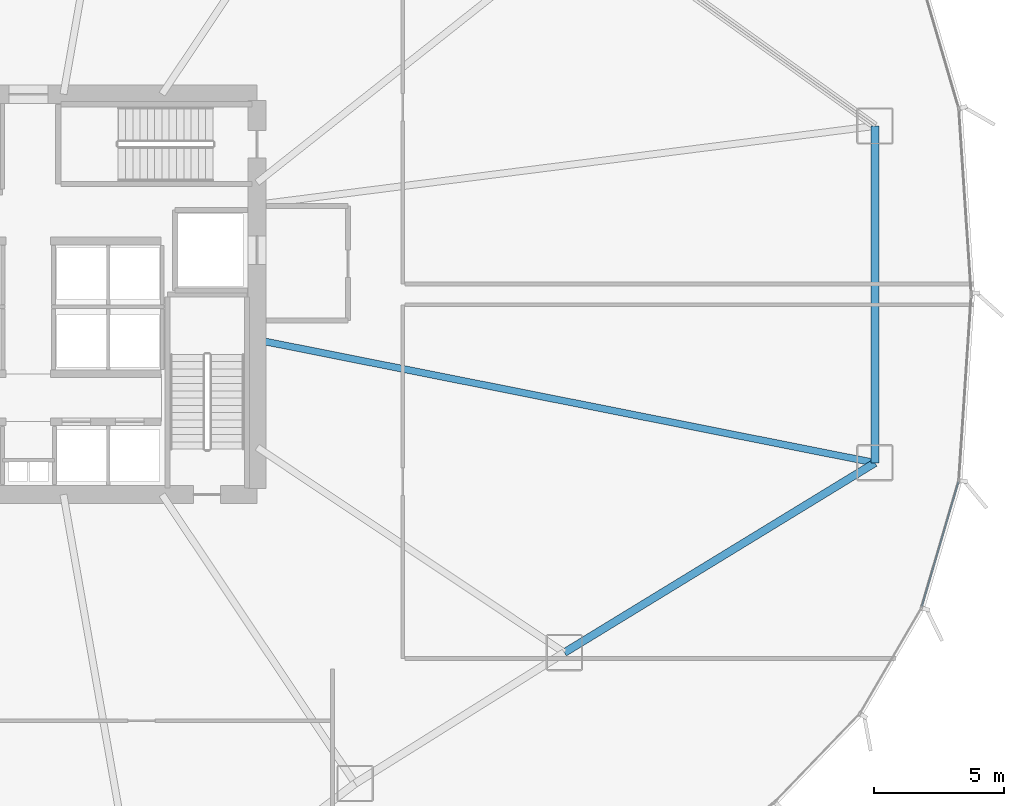
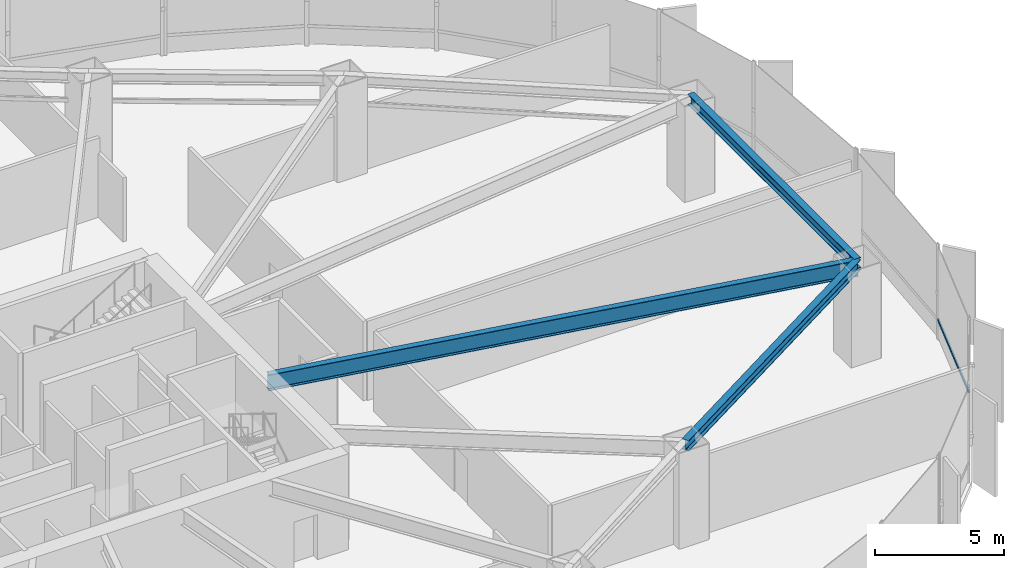
# One storey, part 18 of 34: 3 beams, 1 member, 1 element without a shape of its own.
"""IFC4 building model written with IfcOpenShell, lengths in metres."""

from ifc_helpers import new_model, si_unit, direction, frame, origin, origin_2d, place, context, subcontext, project, spatial, hollow_rectangle, i_section, extrude, source, transform, mapped, material, layer, layer_set, material_profile, profile_set, type_object, element, aggregate, save


model = new_model("IFC4")

# Units and contexts
model_context = context("Model", 3, precision=1e-05, world=origin(), true_north=direction((0.0, 1.0)))
body_context = subcontext(model_context, "Body", "Model", "MODEL_VIEW")
ifc_project = project(units=[si_unit("LENGTHUNIT", "METRE"), si_unit("AREAUNIT", "SQUARE_METRE"), si_unit("VOLUMEUNIT", "CUBIC_METRE"), si_unit("PLANEANGLEUNIT", "RADIAN"), si_unit("MASSUNIT", "GRAM", prefix="KILO"), si_unit("THERMODYNAMICTEMPERATUREUNIT", "KELVIN")], contexts=[model_context])

# Site, building, storey
site_placement = place(None, origin())
site = spatial("IfcSite", under=ifc_project, at=site_placement, CompositionType="ELEMENT")
building_placement = place(site_placement, origin())
building = spatial("IfcBuilding", under=site, at=building_placement, Name="Kethvar Cultural Tower", CompositionType="ELEMENT")
storey_placement = place(building_placement, frame((0.0, 0.0, 5.199951171875)))
storey = spatial("IfcBuildingStorey", under=building, at=storey_placement, Name="L01", CompositionType="ELEMENT", Elevation=5.199951171875)

# Beams
ifc_material_1 = material(Name="Steel S355J2", Category="steel")
ifc_material_profile_1 = material_profile(ifc_material_1, i_section(OverallWidth=0.300048828125, OverallDepth=0.5, WebThickness=0.014404296875, FlangeThickness=0.028076171875, FilletRadius=0.027099609375, at=origin_2d()), Name="Steel S355J2 — HEB500")
ifc_profile_set_1 = profile_set([ifc_material_profile_1], Name="Steel S355J2 — HEB500")
beam_type_1 = type_object("IfcBeamType", Name="BM-SP500", PredefinedType="SPANDREL", material=ifc_profile_set_1)
shared_shape_1 = source(origin(), body_context, "Body", "SweptSolid", [
    extrude(i_section(OverallWidth=0.300048828125, OverallDepth=0.5, WebThickness=0.014404296875, FlangeThickness=0.028076171875, FilletRadius=0.027099609375, at=origin_2d()), origin(), (0.0, 0.0, 1.0), 13.997802734375),
])
beam_1_placement = place(storey_placement, frame((67.41845703125, 14.023193359375, 4.298095703125), z_axis=(0.853252083851, 0.521498687826, 0.0), x_axis=(-0.521498687826, 0.853252083851, 0.0)))
element("IfcBeam", 1, at=beam_1_placement, inside=storey, type_object=beam_type_1, Name="L01 Podium Ring Beam 15", PredefinedType="SPANDREL", context=body_context, shape_type="MappedRepresentation", body=[
    mapped(shared_shape_1, transform((0.0, 0.0, 0.0), scale=1.0)),
])
shared_shape_2 = source(origin(), body_context, "Body", "SweptSolid", [
    extrude(i_section(OverallWidth=0.300048828125, OverallDepth=0.5, WebThickness=0.014404296875, FlangeThickness=0.028076171875, FilletRadius=0.027099609375, at=origin_2d()), origin(), (0.0, 0.0, 1.0), 12.9541015625),
])
beam_2_placement = place(storey_placement, frame((79.362060546875, 21.322998046875, 4.298095703125), z_axis=(0.0, 1.0, 0.0), x_axis=(-1.0, 0.0, 0.0)))
element("IfcBeam", 2, at=beam_2_placement, inside=storey, type_object=beam_type_1, Name="L01 Podium Ring Beam 16", PredefinedType="SPANDREL", context=body_context, shape_type="MappedRepresentation", body=[
    mapped(shared_shape_2, transform((0.0, 0.0, 0.0), scale=1.0)),
])
ifc_material_profile_2 = material_profile(ifc_material_1, i_section(OverallWidth=0.26708984375, OverallDepth=0.761962890625, WebThickness=0.014404296875, FlangeThickness=0.021484375, FilletRadius=0.01708984375, at=origin_2d()), Name="Steel S355J2 — IPE750x173")
ifc_profile_set_2 = profile_set([ifc_material_profile_2], Name="Steel S355J2 — IPE750x173")
beam_type_2 = type_object("IfcBeamType", Name="BM-IPE750", PredefinedType="BEAM", material=ifc_profile_set_2)
shared_shape_3 = source(origin(), body_context, "Body", "SweptSolid", [
    extrude(i_section(OverallWidth=0.26708984375, OverallDepth=0.761962890625, WebThickness=0.014404296875, FlangeThickness=0.021484375, FilletRadius=0.01708984375, at=origin_2d()), origin(), (0.0, 0.0, 1.0), 24.2275390625),
])
beam_3_placement = place(storey_placement, frame((55.60009765625, 26.049560546875, 4.1669921875), z_axis=(0.980785168194, -0.195090886131, 0.0), x_axis=(0.195090886131, 0.980785168194, 0.0)))
element("IfcBeam", 3, at=beam_3_placement, inside=storey, type_object=beam_type_2, Name="L01 Podium Radial Girder 16", PredefinedType="BEAM", context=body_context, shape_type="MappedRepresentation", body=[
    mapped(shared_shape_3, transform((0.0, 0.0, 0.0), scale=1.0)),
])

# Curtain wall, member
ifc_material_2 = material(Name="Aluminium 6063-T6", Category="aluminium")
ifc_layer = layer(ifc_material_2, 0.179931640625, Name="Aluminium 6063-T6", Category="aluminium")
ifc_layer_set = layer_set([ifc_layer], Name="Aluminium 6063-T6 (180 mm)")
curtain_wall_type = type_object("IfcCurtainWallType", Name="CW-SYS-01-POD", PredefinedType="NOTDEFINED", material=ifc_layer_set)
curtain_wall_placement = place(storey_placement, origin())
curtain_wall = element("IfcCurtainWall", 4, at=curtain_wall_placement, inside=storey, type_object=curtain_wall_type, Name="L01 Curtain Wall Run 06", PredefinedType="NOTDEFINED")
ifc_material_profile_3 = material_profile(ifc_material_2, hollow_rectangle(XDim=0.06005859375, YDim=0.139892578125, WallThickness=0.0048828125, at=origin_2d()), Name="Aluminium 6063-T6 — RHS140x60x5")
ifc_profile_set_3 = profile_set([ifc_material_profile_3], Name="Aluminium 6063-T6 — RHS140x60x5")
member_type = type_object("IfcMemberType", Name="CW-SYS-01-POD-TRN", PredefinedType="USERDEFINED", material=ifc_profile_set_3)
shared_shape_4 = source(origin(), body_context, "Body", "SweptSolid", [
    extrude(hollow_rectangle(XDim=0.06005859375, YDim=0.139892578125, WallThickness=0.0048828125, at=origin_2d()), origin(), (0.0, 0.0, 1.0), 5.0126953125),
])
member_placement = place(storey_placement, frame((81.16552734375, 15.796630859375, 0.949951171875), z_axis=(0.281757580899, 0.959485625534, 0.0), x_axis=(-0.959485625534, 0.281757580899, 0.0)))
member = element("IfcMember", 5, at=member_placement, type_object=member_type, Name="CW-L01-R06 Transom 3", ObjectType="TRANSOM", PredefinedType="USERDEFINED", context=body_context, shape_type="MappedRepresentation", body=[
    mapped(shared_shape_4, transform((0.0, 0.0, 0.0), scale=1.0)),
])
aggregate(curtain_wall, [member])

save(model, "model.ifc")
